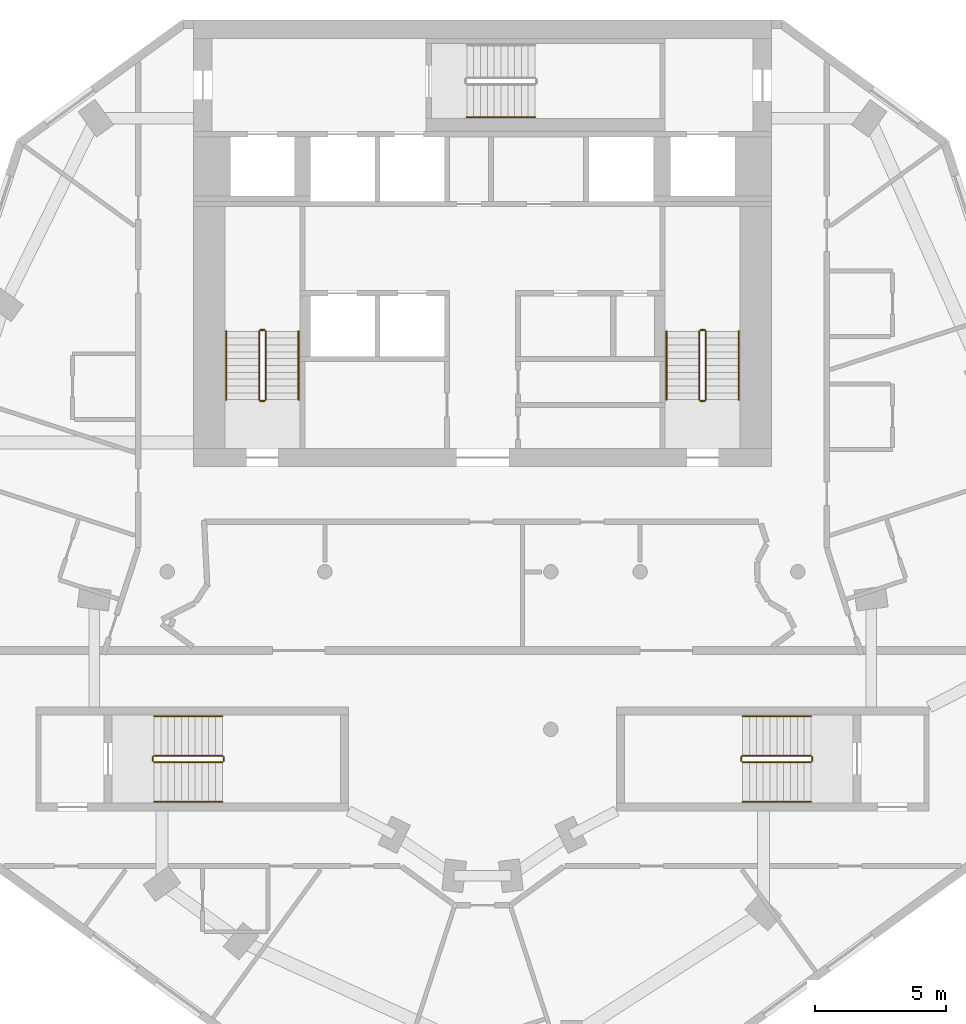
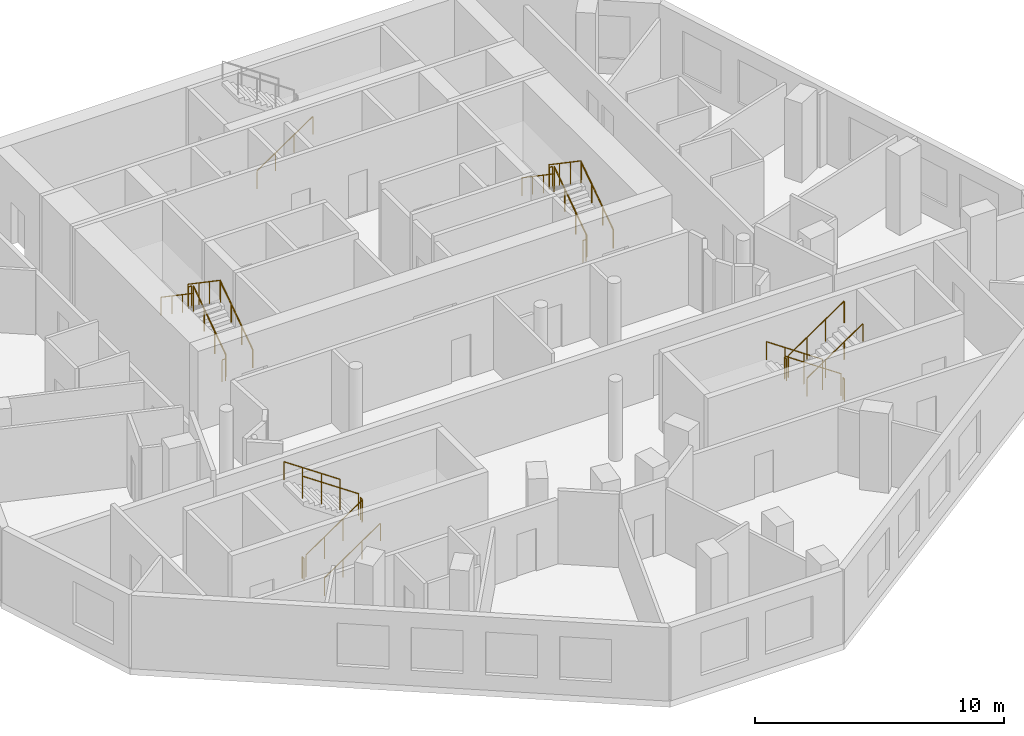
# One storey, part 8 of 9: 25 railings.
"""IFC4 building model written with IfcOpenShell, lengths in metres."""

from ifc_helpers import new_model, si_unit, direction, frame, origin, origin_2d, place, context, subcontext, project, spatial, circle, extrude, material, type_object, element, save


model = new_model("IFC4")

# Units and contexts
model_context = context("Model", 3, precision=1e-05, world=origin(), true_north=direction((0.0, 1.0)))
body_context = subcontext(model_context, "Body", "Model", "MODEL_VIEW")
ifc_project = project(units=[si_unit("LENGTHUNIT", "METRE"), si_unit("AREAUNIT", "SQUARE_METRE"), si_unit("VOLUMEUNIT", "CUBIC_METRE"), si_unit("PLANEANGLEUNIT", "RADIAN"), si_unit("MASSUNIT", "GRAM", prefix="KILO")], contexts=[model_context])

# Site, building, storey
site_placement = place(None, origin())
site = spatial("IfcSite", under=ifc_project, at=site_placement, CompositionType="ELEMENT")
building_placement = place(site_placement, origin())
building = spatial("IfcBuilding", under=site, at=building_placement, Name="White Candle Pilgrim Tower", CompositionType="ELEMENT")
storey_placement = place(building_placement, frame((0.0, 0.0, 252.199951171875)))
storey = spatial("IfcBuildingStorey", under=building, at=storey_placement, Name="L59", CompositionType="ELEMENT", Elevation=252.199951171875)

# Railings
ifc_material = material(Name="Stainless steel", Category="steel")
railing_type_1 = type_object("IfcRailingType", Name="Stair guard stainless steel 1100 mm", PredefinedType="GUARDRAIL", material=ifc_material)
railing_1_placement = place(storey_placement, frame((61.75, 73.550048828125, 0.17724609375)))
element("IfcRailing", 1, at=railing_1_placement, inside=storey, type_object=railing_type_1, Name="L59 ST1 stair guard 1", PredefinedType="GUARDRAIL", context=body_context, shape_type="SweptSolid", body=[
    extrude(circle(Radius=0.02392578125, at=origin_2d()), frame((0.0, 0.0, 1.076171875), z_axis=(0.0, 0.826215852431, 0.563353676824), x_axis=(-1.0, 0.0, 0.0)), (0.0, 0.0, 1.0), 3.146728515625),
    extrude(circle(Radius=0.02099609375, at=origin_2d()), origin(), (0.0, 0.0, 1.0), 1.052001953125),
    extrude(circle(Radius=0.02099609375, at=origin_2d()), frame((0.0, 0.86669921875, 0.5908203125)), (0.0, 0.0, 1.0), 1.052001953125),
    extrude(circle(Radius=0.02099609375, at=origin_2d()), frame((0.0, 1.733154296875, 1.181884765625)), (0.0, 0.0, 1.0), 1.052001953125),
    extrude(circle(Radius=0.02099609375, at=origin_2d()), frame((0.0, 2.599853515625, 1.772705078125)), (0.0, 0.0, 1.0), 1.052001953125),
])
railing_2_placement = place(storey_placement, frame((61.699951171875, 76.199951171875, 1.949951171875)))
element("IfcRailing", 2, at=railing_2_placement, inside=storey, type_object=railing_type_1, Name="L59 ST1 stair guard 2", PredefinedType="GUARDRAIL", context=body_context, shape_type="SweptSolid", body=[
    extrude(circle(Radius=0.02392578125, at=origin_2d()), frame((0.0, 0.0, 1.076171875), z_axis=(-1.0, 0.0, 0.0), x_axis=(0.0, -1.0, 0.0)), (0.0, 0.0, 1.0), 0.14990234375),
    extrude(circle(Radius=0.02099609375, at=origin_2d()), origin(), (0.0, 0.0, 1.0), 1.052001953125),
    extrude(circle(Radius=0.02099609375, at=origin_2d()), frame((-0.14990234375, 0.0, 0.0)), (0.0, 0.0, 1.0), 1.052001953125),
])
railing_3_placement = place(storey_placement, frame((61.5, 76.14990234375, 2.12744140625)))
element("IfcRailing", 3, at=railing_3_placement, inside=storey, type_object=railing_type_1, Name="L59 ST1 stair guard 3", PredefinedType="GUARDRAIL", context=body_context, shape_type="SweptSolid", body=[
    extrude(circle(Radius=0.02392578125, at=origin_2d()), frame((0.0, 0.0, 1.076171875), z_axis=(0.0, -0.826215852431, 0.563353676824), x_axis=(1.0, 0.0, 0.0)), (0.0, 0.0, 1.0), 3.146728515625),
    extrude(circle(Radius=0.02099609375, at=origin_2d()), origin(), (0.0, 0.0, 1.0), 1.052001953125),
    extrude(circle(Radius=0.02099609375, at=origin_2d()), frame((0.0, -0.86669921875, 0.5908203125)), (0.0, 0.0, 1.0), 1.052001953125),
    extrude(circle(Radius=0.02099609375, at=origin_2d()), frame((0.0, -1.733154296875, 1.181884765625)), (0.0, 0.0, 1.0), 1.052001953125),
    extrude(circle(Radius=0.02099609375, at=origin_2d()), frame((0.0, -2.599853515625, 1.772705078125)), (0.0, 0.0, 1.0), 1.052001953125),
])
railing_4_placement = place(storey_placement, frame((61.699951171875, 73.5, 0.0)))
element("IfcRailing", 4, at=railing_4_placement, inside=storey, type_object=railing_type_1, Name="L59 ST1 stair guard 4", PredefinedType="GUARDRAIL", context=body_context, shape_type="SweptSolid", body=[
    extrude(circle(Radius=0.02392578125, at=origin_2d()), frame((0.0, 0.0, 1.076171875), z_axis=(-1.0, 0.0, 0.0), x_axis=(0.0, -1.0, 0.0)), (0.0, 0.0, 1.0), 0.14990234375),
    extrude(circle(Radius=0.02099609375, at=origin_2d()), origin(), (0.0, 0.0, 1.0), 1.052001953125),
    extrude(circle(Radius=0.02099609375, at=origin_2d()), frame((-0.14990234375, 0.0, 0.0)), (0.0, 0.0, 1.0), 1.052001953125),
])
railing_5_placement = place(storey_placement, frame((78.5, 73.550048828125, 0.17724609375)))
element("IfcRailing", 5, at=railing_5_placement, inside=storey, type_object=railing_type_1, Name="L59 ST2 stair guard 1", PredefinedType="GUARDRAIL", context=body_context, shape_type="SweptSolid", body=[
    extrude(circle(Radius=0.02392578125, at=origin_2d()), frame((0.0, 0.0, 1.076171875), z_axis=(0.0, 0.826215852431, 0.563353676824), x_axis=(-1.0, 0.0, 0.0)), (0.0, 0.0, 1.0), 3.146728515625),
    extrude(circle(Radius=0.02099609375, at=origin_2d()), origin(), (0.0, 0.0, 1.0), 1.052001953125),
    extrude(circle(Radius=0.02099609375, at=origin_2d()), frame((0.0, 0.86669921875, 0.5908203125)), (0.0, 0.0, 1.0), 1.052001953125),
    extrude(circle(Radius=0.02099609375, at=origin_2d()), frame((0.0, 1.733154296875, 1.181884765625)), (0.0, 0.0, 1.0), 1.052001953125),
    extrude(circle(Radius=0.02099609375, at=origin_2d()), frame((0.0, 2.599853515625, 1.772705078125)), (0.0, 0.0, 1.0), 1.052001953125),
])
railing_6_placement = place(storey_placement, frame((78.449951171875, 76.199951171875, 1.949951171875)))
element("IfcRailing", 6, at=railing_6_placement, inside=storey, type_object=railing_type_1, Name="L59 ST2 stair guard 2", PredefinedType="GUARDRAIL", context=body_context, shape_type="SweptSolid", body=[
    extrude(circle(Radius=0.02392578125, at=origin_2d()), frame((0.0, 0.0, 1.076171875), z_axis=(-1.0, 0.0, 0.0), x_axis=(0.0, -1.0, 0.0)), (0.0, 0.0, 1.0), 0.14990234375),
    extrude(circle(Radius=0.02099609375, at=origin_2d()), origin(), (0.0, 0.0, 1.0), 1.052001953125),
    extrude(circle(Radius=0.02099609375, at=origin_2d()), frame((-0.14990234375, 0.0, 0.0)), (0.0, 0.0, 1.0), 1.052001953125),
])
railing_7_placement = place(storey_placement, frame((78.25, 76.14990234375, 2.12744140625)))
element("IfcRailing", 7, at=railing_7_placement, inside=storey, type_object=railing_type_1, Name="L59 ST2 stair guard 3", PredefinedType="GUARDRAIL", context=body_context, shape_type="SweptSolid", body=[
    extrude(circle(Radius=0.02392578125, at=origin_2d()), frame((0.0, 0.0, 1.076171875), z_axis=(0.0, -0.826215852431, 0.563353676824), x_axis=(1.0, 0.0, 0.0)), (0.0, 0.0, 1.0), 3.146728515625),
    extrude(circle(Radius=0.02099609375, at=origin_2d()), origin(), (0.0, 0.0, 1.0), 1.052001953125),
    extrude(circle(Radius=0.02099609375, at=origin_2d()), frame((0.0, -0.86669921875, 0.5908203125)), (0.0, 0.0, 1.0), 1.052001953125),
    extrude(circle(Radius=0.02099609375, at=origin_2d()), frame((0.0, -1.733154296875, 1.181884765625)), (0.0, 0.0, 1.0), 1.052001953125),
    extrude(circle(Radius=0.02099609375, at=origin_2d()), frame((0.0, -2.599853515625, 1.772705078125)), (0.0, 0.0, 1.0), 1.052001953125),
])
railing_8_placement = place(storey_placement, frame((78.449951171875, 73.5, 0.0)))
element("IfcRailing", 8, at=railing_8_placement, inside=storey, type_object=railing_type_1, Name="L59 ST2 stair guard 4", PredefinedType="GUARDRAIL", context=body_context, shape_type="SweptSolid", body=[
    extrude(circle(Radius=0.02392578125, at=origin_2d()), frame((0.0, 0.0, 1.076171875), z_axis=(-1.0, 0.0, 0.0), x_axis=(0.0, -1.0, 0.0)), (0.0, 0.0, 1.0), 0.14990234375),
    extrude(circle(Radius=0.02099609375, at=origin_2d()), origin(), (0.0, 0.0, 1.0), 1.052001953125),
    extrude(circle(Radius=0.02099609375, at=origin_2d()), frame((-0.14990234375, 0.0, 0.0)), (0.0, 0.0, 1.0), 1.052001953125),
])
railing_9_placement = place(storey_placement, frame((82.5, 60.0, 0.17724609375)))
element("IfcRailing", 9, at=railing_9_placement, inside=storey, type_object=railing_type_1, Name="L59 ST4 stair guard 1", PredefinedType="GUARDRAIL", context=body_context, shape_type="SweptSolid", body=[
    extrude(circle(Radius=0.02392578125, at=origin_2d()), frame((0.0, 0.0, 1.076171875), z_axis=(-0.826240473404, 0.0, 0.563317565952), x_axis=(0.0, -1.0, 0.0)), (0.0, 0.0, 1.0), 3.14697265625),
    extrude(circle(Radius=0.02099609375, at=origin_2d()), origin(), (0.0, 0.0, 1.0), 1.052001953125),
    extrude(circle(Radius=0.02099609375, at=origin_2d()), frame((-0.86669921875, 0.0, 0.5908203125)), (0.0, 0.0, 1.0), 1.052001953125),
    extrude(circle(Radius=0.02099609375, at=origin_2d()), frame((-1.7333984375, 0.0, 1.181884765625)), (0.0, 0.0, 1.0), 1.052001953125),
    extrude(circle(Radius=0.02099609375, at=origin_2d()), frame((-2.60009765625, 0.0, 1.772705078125)), (0.0, 0.0, 1.0), 1.052001953125),
])
railing_10_placement = place(storey_placement, frame((79.85009765625, 59.949951171875, 1.949951171875)))
element("IfcRailing", 10, at=railing_10_placement, inside=storey, type_object=railing_type_1, Name="L59 ST4 stair guard 2", PredefinedType="GUARDRAIL", context=body_context, shape_type="SweptSolid", body=[
    extrude(circle(Radius=0.02392578125, at=origin_2d()), frame((0.0, 0.0, 1.076171875), z_axis=(0.0, -1.0, 0.0), x_axis=(1.0, 0.0, 0.0)), (0.0, 0.0, 1.0), 0.14990234375),
    extrude(circle(Radius=0.02099609375, at=origin_2d()), origin(), (0.0, 0.0, 1.0), 1.052001953125),
    extrude(circle(Radius=0.02099609375, at=origin_2d()), frame((0.0, -0.14990234375, 0.0)), (0.0, 0.0, 1.0), 1.052001953125),
])
railing_11_placement = place(storey_placement, frame((79.89990234375, 59.75, 2.12744140625)))
element("IfcRailing", 11, at=railing_11_placement, inside=storey, type_object=railing_type_1, Name="L59 ST4 stair guard 3", PredefinedType="GUARDRAIL", context=body_context, shape_type="SweptSolid", body=[
    extrude(circle(Radius=0.02392578125, at=origin_2d()), frame((0.0, 0.0, 1.076171875), z_axis=(0.826240473404, 0.0, 0.563317565952), x_axis=(0.0, 1.0, 0.0)), (0.0, 0.0, 1.0), 3.14697265625),
    extrude(circle(Radius=0.02099609375, at=origin_2d()), origin(), (0.0, 0.0, 1.0), 1.052001953125),
    extrude(circle(Radius=0.02099609375, at=origin_2d()), frame((0.86669921875, 0.0, 0.5908203125)), (0.0, 0.0, 1.0), 1.052001953125),
    extrude(circle(Radius=0.02099609375, at=origin_2d()), frame((1.7333984375, 0.0, 1.181884765625)), (0.0, 0.0, 1.0), 1.052001953125),
    extrude(circle(Radius=0.02099609375, at=origin_2d()), frame((2.60009765625, 0.0, 1.772705078125)), (0.0, 0.0, 1.0), 1.052001953125),
])
railing_12_placement = place(storey_placement, frame((82.550048828125, 59.949951171875, 0.0)))
element("IfcRailing", 12, at=railing_12_placement, inside=storey, type_object=railing_type_1, Name="L59 ST4 stair guard 4", PredefinedType="GUARDRAIL", context=body_context, shape_type="SweptSolid", body=[
    extrude(circle(Radius=0.02392578125, at=origin_2d()), frame((0.0, 0.0, 1.076171875), z_axis=(0.0, -1.0, 0.0), x_axis=(1.0, 0.0, 0.0)), (0.0, 0.0, 1.0), 0.14990234375),
    extrude(circle(Radius=0.02099609375, at=origin_2d()), origin(), (0.0, 0.0, 1.0), 1.052001953125),
    extrude(circle(Radius=0.02099609375, at=origin_2d()), frame((0.0, -0.14990234375, 0.0)), (0.0, 0.0, 1.0), 1.052001953125),
])
railing_13_placement = place(storey_placement, frame((57.5, 59.75, 0.17724609375)))
element("IfcRailing", 13, at=railing_13_placement, inside=storey, type_object=railing_type_1, Name="L59 ST5 stair guard 1", PredefinedType="GUARDRAIL", context=body_context, shape_type="SweptSolid", body=[
    extrude(circle(Radius=0.02392578125, at=origin_2d()), frame((0.0, 0.0, 1.076171875), z_axis=(0.826240473404, 0.0, 0.563317565952), x_axis=(0.0, 1.0, 0.0)), (0.0, 0.0, 1.0), 3.14697265625),
    extrude(circle(Radius=0.02099609375, at=origin_2d()), origin(), (0.0, 0.0, 1.0), 1.052001953125),
    extrude(circle(Radius=0.02099609375, at=origin_2d()), frame((0.86669921875, 0.0, 0.5908203125)), (0.0, 0.0, 1.0), 1.052001953125),
    extrude(circle(Radius=0.02099609375, at=origin_2d()), frame((1.7333984375, 0.0, 1.181884765625)), (0.0, 0.0, 1.0), 1.052001953125),
    extrude(circle(Radius=0.02099609375, at=origin_2d()), frame((2.60009765625, 0.0, 1.772705078125)), (0.0, 0.0, 1.0), 1.052001953125),
])
railing_14_placement = place(storey_placement, frame((60.14990234375, 59.800048828125, 1.949951171875)))
element("IfcRailing", 14, at=railing_14_placement, inside=storey, type_object=railing_type_1, Name="L59 ST5 stair guard 2", PredefinedType="GUARDRAIL", context=body_context, shape_type="SweptSolid", body=[
    extrude(circle(Radius=0.02392578125, at=origin_2d()), frame((0.0, 0.0, 1.076171875), z_axis=(0.0, 1.0, 0.0), x_axis=(-1.0, 0.0, 0.0)), (0.0, 0.0, 1.0), 0.14990234375),
    extrude(circle(Radius=0.02099609375, at=origin_2d()), origin(), (0.0, 0.0, 1.0), 1.052001953125),
    extrude(circle(Radius=0.02099609375, at=origin_2d()), frame((0.0, 0.14990234375, 0.0)), (0.0, 0.0, 1.0), 1.052001953125),
])
railing_15_placement = place(storey_placement, frame((60.10009765625, 60.0, 2.12744140625)))
element("IfcRailing", 15, at=railing_15_placement, inside=storey, type_object=railing_type_1, Name="L59 ST5 stair guard 3", PredefinedType="GUARDRAIL", context=body_context, shape_type="SweptSolid", body=[
    extrude(circle(Radius=0.02392578125, at=origin_2d()), frame((0.0, 0.0, 1.076171875), z_axis=(-0.826240473404, 0.0, 0.563317565952), x_axis=(0.0, -1.0, 0.0)), (0.0, 0.0, 1.0), 3.14697265625),
    extrude(circle(Radius=0.02099609375, at=origin_2d()), origin(), (0.0, 0.0, 1.0), 1.052001953125),
    extrude(circle(Radius=0.02099609375, at=origin_2d()), frame((-0.86669921875, 0.0, 0.5908203125)), (0.0, 0.0, 1.0), 1.052001953125),
    extrude(circle(Radius=0.02099609375, at=origin_2d()), frame((-1.7333984375, 0.0, 1.181884765625)), (0.0, 0.0, 1.0), 1.052001953125),
    extrude(circle(Radius=0.02099609375, at=origin_2d()), frame((-2.60009765625, 0.0, 1.772705078125)), (0.0, 0.0, 1.0), 1.052001953125),
])
railing_16_placement = place(storey_placement, frame((57.449951171875, 59.800048828125, 0.0)))
element("IfcRailing", 16, at=railing_16_placement, inside=storey, type_object=railing_type_1, Name="L59 ST5 stair guard 4", PredefinedType="GUARDRAIL", context=body_context, shape_type="SweptSolid", body=[
    extrude(circle(Radius=0.02392578125, at=origin_2d()), frame((0.0, 0.0, 1.076171875), z_axis=(0.0, 1.0, 0.0), x_axis=(-1.0, 0.0, 0.0)), (0.0, 0.0, 1.0), 0.14990234375),
    extrude(circle(Radius=0.02099609375, at=origin_2d()), origin(), (0.0, 0.0, 1.0), 1.052001953125),
    extrude(circle(Radius=0.02099609375, at=origin_2d()), frame((0.0, 0.14990234375, 0.0)), (0.0, 0.0, 1.0), 1.052001953125),
])
railing_type_2 = type_object("IfcRailingType", Name="Stair handrail stainless steel", PredefinedType="HANDRAIL", material=ifc_material)
railing_17_placement = place(storey_placement, frame((63.0, 73.550048828125, 0.17724609375)))
element("IfcRailing", 17, at=railing_17_placement, inside=storey, type_object=railing_type_2, Name="L59 ST1 stair handrail 1", PredefinedType="HANDRAIL", context=body_context, shape_type="SweptSolid", body=[
    extrude(circle(Radius=0.02392578125, at=origin_2d()), frame((0.0, 0.0, 0.8759765625), z_axis=(0.0, 0.826215852431, 0.563353676824), x_axis=(-1.0, 0.0, 0.0)), (0.0, 0.0, 1.0), 3.146728515625),
    extrude(circle(Radius=0.02099609375, at=origin_2d()), origin(), (0.0, 0.0, 1.0), 0.851806640625),
    extrude(circle(Radius=0.02099609375, at=origin_2d()), frame((0.0, 0.86669921875, 0.5908203125)), (0.0, 0.0, 1.0), 0.851806640625),
    extrude(circle(Radius=0.02099609375, at=origin_2d()), frame((0.0, 1.733154296875, 1.181884765625)), (0.0, 0.0, 1.0), 0.851806640625),
    extrude(circle(Radius=0.02099609375, at=origin_2d()), frame((0.0, 2.599853515625, 1.772705078125)), (0.0, 0.0, 1.0), 0.851806640625),
])
railing_18_placement = place(storey_placement, frame((60.25, 76.14990234375, 2.12744140625)))
element("IfcRailing", 18, at=railing_18_placement, inside=storey, type_object=railing_type_2, Name="L59 ST1 stair handrail 2", PredefinedType="HANDRAIL", context=body_context, shape_type="SweptSolid", body=[
    extrude(circle(Radius=0.02392578125, at=origin_2d()), frame((0.0, 0.0, 0.8759765625), z_axis=(0.0, -0.826215852431, 0.563353676824), x_axis=(1.0, 0.0, 0.0)), (0.0, 0.0, 1.0), 3.146728515625),
    extrude(circle(Radius=0.02099609375, at=origin_2d()), origin(), (0.0, 0.0, 1.0), 0.851806640625),
    extrude(circle(Radius=0.02099609375, at=origin_2d()), frame((0.0, -0.86669921875, 0.5908203125)), (0.0, 0.0, 1.0), 0.851806640625),
    extrude(circle(Radius=0.02099609375, at=origin_2d()), frame((0.0, -1.733154296875, 1.181884765625)), (0.0, 0.0, 1.0), 0.851806640625),
    extrude(circle(Radius=0.02099609375, at=origin_2d()), frame((0.0, -2.599853515625, 1.772705078125)), (0.0, 0.0, 1.0), 0.851806640625),
])
railing_19_placement = place(storey_placement, frame((79.75, 73.550048828125, 0.17724609375)))
element("IfcRailing", 19, at=railing_19_placement, inside=storey, type_object=railing_type_2, Name="L59 ST2 stair handrail 1", PredefinedType="HANDRAIL", context=body_context, shape_type="SweptSolid", body=[
    extrude(circle(Radius=0.02392578125, at=origin_2d()), frame((0.0, 0.0, 0.8759765625), z_axis=(0.0, 0.826215852431, 0.563353676824), x_axis=(-1.0, 0.0, 0.0)), (0.0, 0.0, 1.0), 3.146728515625),
    extrude(circle(Radius=0.02099609375, at=origin_2d()), origin(), (0.0, 0.0, 1.0), 0.851806640625),
    extrude(circle(Radius=0.02099609375, at=origin_2d()), frame((0.0, 0.86669921875, 0.5908203125)), (0.0, 0.0, 1.0), 0.851806640625),
    extrude(circle(Radius=0.02099609375, at=origin_2d()), frame((0.0, 1.733154296875, 1.181884765625)), (0.0, 0.0, 1.0), 0.851806640625),
    extrude(circle(Radius=0.02099609375, at=origin_2d()), frame((0.0, 2.599853515625, 1.772705078125)), (0.0, 0.0, 1.0), 0.851806640625),
])
railing_20_placement = place(storey_placement, frame((77.0, 76.14990234375, 2.12744140625)))
element("IfcRailing", 20, at=railing_20_placement, inside=storey, type_object=railing_type_2, Name="L59 ST2 stair handrail 2", PredefinedType="HANDRAIL", context=body_context, shape_type="SweptSolid", body=[
    extrude(circle(Radius=0.02392578125, at=origin_2d()), frame((0.0, 0.0, 0.8759765625), z_axis=(0.0, -0.826215852431, 0.563353676824), x_axis=(1.0, 0.0, 0.0)), (0.0, 0.0, 1.0), 3.146728515625),
    extrude(circle(Radius=0.02099609375, at=origin_2d()), origin(), (0.0, 0.0, 1.0), 0.851806640625),
    extrude(circle(Radius=0.02099609375, at=origin_2d()), frame((0.0, -0.86669921875, 0.5908203125)), (0.0, 0.0, 1.0), 0.851806640625),
    extrude(circle(Radius=0.02099609375, at=origin_2d()), frame((0.0, -1.733154296875, 1.181884765625)), (0.0, 0.0, 1.0), 0.851806640625),
    extrude(circle(Radius=0.02099609375, at=origin_2d()), frame((0.0, -2.599853515625, 1.772705078125)), (0.0, 0.0, 1.0), 0.851806640625),
])
railing_21_placement = place(storey_placement, frame((69.39990234375, 84.300048828125, 0.17724609375)))
element("IfcRailing", 21, at=railing_21_placement, inside=storey, type_object=railing_type_2, Name="L59 ST3 stair handrail 1", PredefinedType="HANDRAIL", context=body_context, shape_type="SweptSolid", body=[
    extrude(circle(Radius=0.02392578125, at=origin_2d()), frame((0.0, 0.0, 0.8759765625), z_axis=(0.826240473404, 0.0, 0.563317565952), x_axis=(0.0, 1.0, 0.0)), (0.0, 0.0, 1.0), 3.14697265625),
    extrude(circle(Radius=0.02099609375, at=origin_2d()), origin(), (0.0, 0.0, 1.0), 0.851806640625),
    extrude(circle(Radius=0.02099609375, at=origin_2d()), frame((0.86669921875, 0.0, 0.5908203125)), (0.0, 0.0, 1.0), 0.851806640625),
    extrude(circle(Radius=0.02099609375, at=origin_2d()), frame((1.7333984375, 0.0, 1.181884765625)), (0.0, 0.0, 1.0), 0.851806640625),
    extrude(circle(Radius=0.02099609375, at=origin_2d()), frame((2.60009765625, 0.0, 1.772705078125)), (0.0, 0.0, 1.0), 0.851806640625),
])
railing_22_placement = place(storey_placement, frame((82.5, 61.5, 0.17724609375)))
element("IfcRailing", 22, at=railing_22_placement, inside=storey, type_object=railing_type_2, Name="L59 ST4 stair handrail 1", PredefinedType="HANDRAIL", context=body_context, shape_type="SweptSolid", body=[
    extrude(circle(Radius=0.02392578125, at=origin_2d()), frame((0.0, 0.0, 0.8759765625), z_axis=(-0.826240473404, 0.0, 0.563317565952), x_axis=(0.0, -1.0, 0.0)), (0.0, 0.0, 1.0), 3.14697265625),
    extrude(circle(Radius=0.02099609375, at=origin_2d()), origin(), (0.0, 0.0, 1.0), 0.851806640625),
    extrude(circle(Radius=0.02099609375, at=origin_2d()), frame((-0.86669921875, 0.0, 0.5908203125)), (0.0, 0.0, 1.0), 0.851806640625),
    extrude(circle(Radius=0.02099609375, at=origin_2d()), frame((-1.7333984375, 0.0, 1.181884765625)), (0.0, 0.0, 1.0), 0.851806640625),
    extrude(circle(Radius=0.02099609375, at=origin_2d()), frame((-2.60009765625, 0.0, 1.772705078125)), (0.0, 0.0, 1.0), 0.851806640625),
])
for number, where, name in (
    (23, (79.89990234375, 58.25, 2.12744140625), "L59 ST4 stair handrail 2"),
    (24, (57.5, 58.25, 0.17724609375), "L59 ST5 stair handrail 1"),
):
    element("IfcRailing", number, at=place(storey_placement, frame(where)), inside=storey, type_object=railing_type_2, Name=name, PredefinedType="HANDRAIL", context=body_context, shape_type="SweptSolid", body=[
        extrude(circle(Radius=0.02392578125, at=origin_2d()), frame((0.0, 0.0, 0.8759765625), z_axis=(0.826240473404, 0.0, 0.563317565952), x_axis=(0.0, 1.0, 0.0)), (0.0, 0.0, 1.0), 3.14697265625),
        extrude(circle(Radius=0.02099609375, at=origin_2d()), origin(), (0.0, 0.0, 1.0), 0.851806640625),
        extrude(circle(Radius=0.02099609375, at=origin_2d()), frame((0.86669921875, 0.0, 0.5908203125)), (0.0, 0.0, 1.0), 0.851806640625),
        extrude(circle(Radius=0.02099609375, at=origin_2d()), frame((1.7333984375, 0.0, 1.181884765625)), (0.0, 0.0, 1.0), 0.851806640625),
        extrude(circle(Radius=0.02099609375, at=origin_2d()), frame((2.60009765625, 0.0, 1.772705078125)), (0.0, 0.0, 1.0), 0.851806640625),
    ])
railing_23_placement = place(storey_placement, frame((60.10009765625, 61.5, 2.12744140625)))
element("IfcRailing", 25, at=railing_23_placement, inside=storey, type_object=railing_type_2, Name="L59 ST5 stair handrail 2", PredefinedType="HANDRAIL", context=body_context, shape_type="SweptSolid", body=[
    extrude(circle(Radius=0.02392578125, at=origin_2d()), frame((0.0, 0.0, 0.8759765625), z_axis=(-0.826240473404, 0.0, 0.563317565952), x_axis=(0.0, -1.0, 0.0)), (0.0, 0.0, 1.0), 3.14697265625),
    extrude(circle(Radius=0.02099609375, at=origin_2d()), origin(), (0.0, 0.0, 1.0), 0.851806640625),
    extrude(circle(Radius=0.02099609375, at=origin_2d()), frame((-0.86669921875, 0.0, 0.5908203125)), (0.0, 0.0, 1.0), 0.851806640625),
    extrude(circle(Radius=0.02099609375, at=origin_2d()), frame((-1.7333984375, 0.0, 1.181884765625)), (0.0, 0.0, 1.0), 0.851806640625),
    extrude(circle(Radius=0.02099609375, at=origin_2d()), frame((-2.60009765625, 0.0, 1.772705078125)), (0.0, 0.0, 1.0), 0.851806640625),
])

save(model, "model.ifc")
